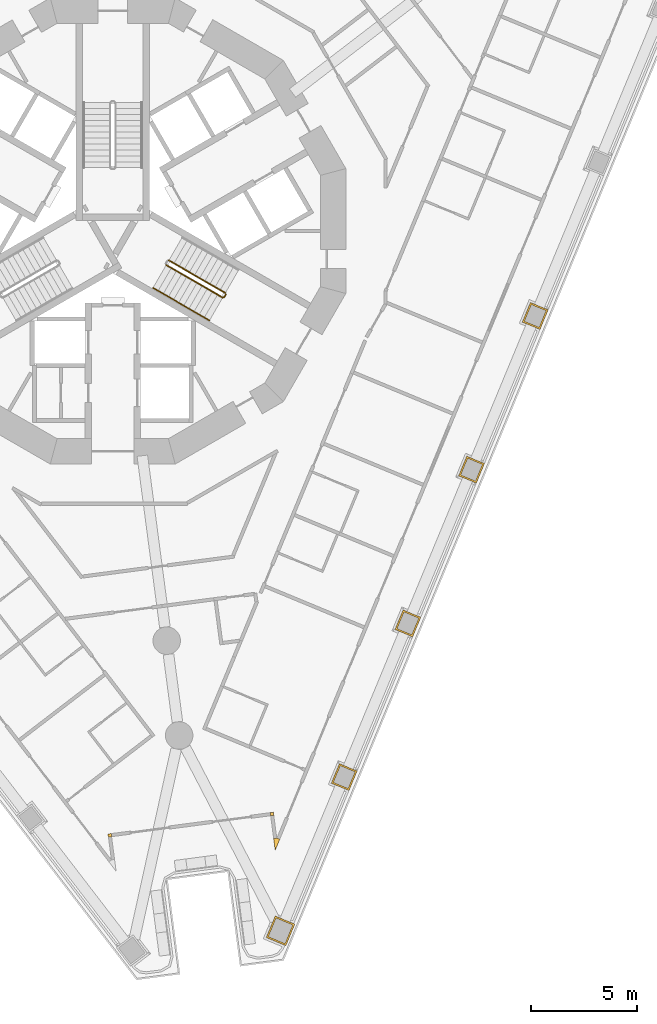
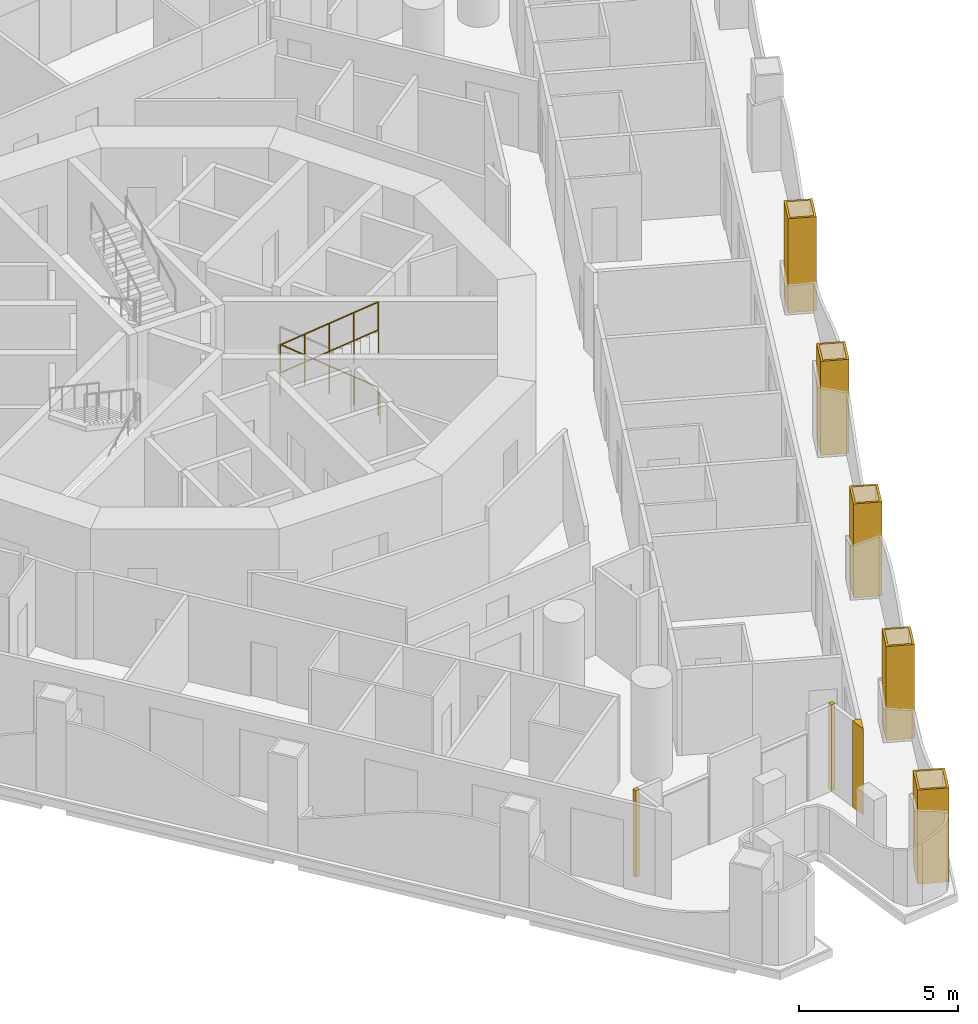
# One storey, part 14 of 19: 8 coverings, 5 railings.
"""IFC4 building model written with IfcOpenShell, lengths in metres."""

import ifcopenshell
import ifcopenshell.guid

model = None  # the IFC model being written
_history = None  # IfcOwnerHistory: only IFC2X3 demands one
_inside = {}  # id of a spatial element -> (the spatial element, [elements in it])
_under = {}  # id of a project, library or spatial element -> (it, [spatial elements below it])
_declared = {}  # id of a project -> (the project, [libraries it declares])
_typed = {}  # id of a type object -> (the type object, [elements of that type])
_made_of = {}  # id of a material, layer set ... -> (it, [elements and type objects made of it])


def new_model(schema):
    """Start an empty IFC model of exactly this schema.

    Asked for "IFC4X3", IfcOpenShell would pick the latest addendum, in which some entities
    have other attributes; the version numbers below select the first issue.
    IFC2X3 requires an IfcOwnerHistory on every rooted entity: one is made here for all.
    """
    global model, _history
    if schema == "IFC4X3":
        model = ifcopenshell.file(schema_version=(4, 3, 0, 0))
    else:
        model = ifcopenshell.file(schema=schema)
    _inside.clear()
    _under.clear()
    _declared.clear()
    _typed.clear()
    _made_of.clear()
    _history = None
    if model.schema == "IFC2X3":
        org = make("IfcOrganization", Name="unknown")
        user = make(
            "IfcPersonAndOrganization",
            ThePerson=make("IfcPerson", FamilyName="unknown"),
            TheOrganization=org,
        )
        app = make(
            "IfcApplication",
            ApplicationDeveloper=org,
            Version="unknown",
            ApplicationFullName="unknown",
            ApplicationIdentifier="unknown",
        )
        _history = make(
            "IfcOwnerHistory",
            OwningUser=user,
            OwningApplication=app,
            ChangeAction="ADDED",
            CreationDate=0,
        )
    return model


def make(cls, **values):
    """One entity of the class cls with the attributes given. An attribute that is None is left unset."""
    return model.create_entity(
        cls, **{name: value for name, value in values.items() if value is not None}
    )


def rooted(cls, **values):
    """An entity with a GlobalId (a new one), such as an element, a storey or a relation."""
    return make(cls, GlobalId=ifcopenshell.guid.new(), OwnerHistory=_history, **values)


def si_unit(unit_type, name, prefix=None):
    """IfcSIUnit, for example si_unit("LENGTHUNIT", "METRE", prefix="MILLI")."""
    return make("IfcSIUnit", UnitType=unit_type, Prefix=prefix, Name=name)


def assignment(units):
    """IfcUnitAssignment: the units of a project."""
    return None if units is None else make("IfcUnitAssignment", Units=units)


def point(xyz):
    """IfcCartesianPoint."""
    return None if xyz is None else make("IfcCartesianPoint", Coordinates=xyz)


def direction(xyz):
    """IfcDirection."""
    return None if xyz is None else make("IfcDirection", DirectionRatios=xyz)


def frame(location, z_axis=None, x_axis=None):
    """IfcAxis2Placement3D, a coordinate frame: its origin and axes. An axis left out is left unset."""
    return make(
        "IfcAxis2Placement3D",
        Location=point(location),
        Axis=direction(z_axis),
        RefDirection=direction(x_axis),
    )


def frame_2d(location, x_axis=None):
    """IfcAxis2Placement2D, a coordinate frame in the plane: its origin and x axis."""
    return make(
        "IfcAxis2Placement2D", Location=point(location), RefDirection=direction(x_axis)
    )


def origin():
    """The frame at (0, 0, 0) with its axes left unset."""
    return frame((0.0, 0.0, 0.0))


def origin_2d():
    """The frame at (0, 0) in the plane with its x axis left unset."""
    return frame_2d((0.0, 0.0))


def place(relative_to, where):
    """IfcLocalPlacement: puts the frame where relative to a parent placement (None: the world)."""
    return make(
        "IfcLocalPlacement", PlacementRelTo=relative_to, RelativePlacement=where
    )


def context(
    kind, dimensions, precision=None, world=None, true_north=None, identifier=None
):
    """IfcGeometricRepresentationContext, for example the 3D "Model" context."""
    return make(
        "IfcGeometricRepresentationContext",
        ContextIdentifier=identifier,
        ContextType=kind,
        CoordinateSpaceDimension=dimensions,
        Precision=precision,
        WorldCoordinateSystem=world,
        TrueNorth=true_north,
    )


def subcontext(parent, identifier, kind, view, scale=None):
    """IfcGeometricRepresentationSubContext, for example "Body" below "Model"."""
    return make(
        "IfcGeometricRepresentationSubContext",
        ContextIdentifier=identifier,
        ContextType=kind,
        ParentContext=parent,
        TargetScale=scale,
        TargetView=view,
    )


def project(units=None, contexts=None):
    """IfcProject with its units and contexts."""
    return rooted(
        "IfcProject",
        Name="project",
        RepresentationContexts=contexts,
        UnitsInContext=assignment(units),
    )


def spatial(cls, under=None, at=None, **own):
    """A site, building, storey or space (cls), placed at a placement, below another one or the project."""
    s = rooted(cls, ObjectPlacement=at, **own)
    if under is not None:
        _under.setdefault(under.id(), (under, []))[1].append(s)
    return s


def polyline(points):
    """IfcPolyline through the points."""
    return make("IfcPolyline", Points=[point(p) for p in points])


def profile(cls, at=None, kind="AREA", **sizes):
    """A parametric profile (cls). Its sizes go by their IFC names, for example OverallWidth=200.0."""
    return make(cls, ProfileType=kind, Position=at, **sizes)


def circle(**sizes):
    """IfcCircleProfileDef."""
    return profile("IfcCircleProfileDef", **sizes)


def outline(outer, holes=None, kind="AREA"):
    """IfcArbitraryClosedProfileDef: a profile drawn as a closed curve; with holes, ...WithVoids."""
    if holes is None:
        return make("IfcArbitraryClosedProfileDef", ProfileType=kind, OuterCurve=outer)
    return make(
        "IfcArbitraryProfileDefWithVoids",
        ProfileType=kind,
        OuterCurve=outer,
        InnerCurves=holes,
    )


def extrude(swept, where, along, depth):
    """IfcExtrudedAreaSolid: the profile swept, set in the frame where, extruded along a direction by depth."""
    return make(
        "IfcExtrudedAreaSolid",
        SweptArea=swept,
        Position=where,
        ExtrudedDirection=direction(along),
        Depth=depth,
    )


def shape(context_of_items, identifier, shape_type, items):
    """IfcShapeRepresentation: the items that make up one representation, for example the "Body"."""
    return make(
        "IfcShapeRepresentation",
        ContextOfItems=context_of_items,
        RepresentationIdentifier=identifier,
        RepresentationType=shape_type,
        Items=items,
    )


def material(Name=None, Category=None):
    """IfcMaterial."""
    return make("IfcMaterial", Name=Name, Category=Category)


def layer(
    of_material, thickness, ventilated=None, Name=None, Category=None, Priority=None
):
    """IfcMaterialLayer: one layer of a wall or slab, of a material (None: an air gap)."""
    return make(
        "IfcMaterialLayer",
        Material=of_material,
        LayerThickness=thickness,
        IsVentilated=ventilated,
        Name=Name,
        Category=Category,
        Priority=Priority,
    )


def layer_set(layers, Name=None):
    """IfcMaterialLayerSet."""
    return make("IfcMaterialLayerSet", MaterialLayers=layers, LayerSetName=Name)


def made_of(thing, what):
    """Note that an element or type object is made of a material, layer set ...; save() writes the relation."""
    if what is not None:
        _made_of.setdefault(what.id(), (what, []))[1].append(thing)
    return thing


def type_object(cls, material=None, **own):
    """A type object (cls), such as IfcWallType, which elements share."""
    return made_of(rooted(cls, **own), material)


def element(
    cls,
    number,
    at=None,
    inside=None,
    cuts=None,
    type_object=None,
    material=None,
    context=None,
    identifier="Body",
    shape_type=None,
    held_by="IfcProductDefinitionShape",
    body=None,
    shapes=None,
    **own,
):
    """One element of the class cls, such as IfcWall. Its Tag is "e" and its number.

    at: its placement. inside: the storey or other place that contains it. cuts: it is an
    opening in that element (IfcRelVoidsElement). A single representation is given by context,
    identifier, shape_type and body (its items); several are given by shapes. held_by: the class
    of the entity that holds the representations. save() writes the other relations.
    """
    e = rooted(cls, Tag="e%d" % number, ObjectPlacement=at, **own)
    if body is not None:
        shapes = [shape(context, identifier, shape_type, body)]
    if shapes is not None:
        e.Representation = make(held_by, Representations=shapes)
    if inside is not None:
        _inside.setdefault(inside.id(), (inside, []))[1].append(e)
    if cuts is not None:
        rooted(
            "IfcRelVoidsElement", RelatingBuildingElement=cuts, RelatedOpeningElement=e
        )
    if type_object is not None:
        _typed.setdefault(type_object.id(), (type_object, []))[1].append(e)
    return made_of(e, material)


def aggregate(whole, parts):
    """IfcRelAggregates: a whole, such as a stair, and the parts it consists of."""
    return rooted("IfcRelAggregates", RelatingObject=whole, RelatedObjects=parts)


def save(model, path):
    """Write the relations noted so far, then the file.

    IfcRelAggregates (storeys below a building ...), IfcRelContainedInSpatialStructure (elements
    in a storey), IfcRelDefinesByType, IfcRelAssociatesMaterial and IfcRelDeclares: one each for
    every whole, place, type object, material and project.
    """
    for whole, parts in _under.values():
        aggregate(whole, parts)
    for where, things in _inside.values():
        rooted(
            "IfcRelContainedInSpatialStructure",
            RelatedElements=things,
            RelatingStructure=where,
        )
    for kind, things in _typed.values():
        rooted("IfcRelDefinesByType", RelatedObjects=things, RelatingType=kind)
    for what, things in _made_of.values():
        rooted("IfcRelAssociatesMaterial", RelatedObjects=things, RelatingMaterial=what)
    for by, libraries in _declared.values():
        rooted("IfcRelDeclares", RelatingContext=by, RelatedDefinitions=libraries)
    model.write(path)


model = new_model("IFC4")

# Units and contexts
model_context = context("Model", 3, precision=1e-05, world=origin(), true_north=direction((0.0, 1.0)))
body_context = subcontext(model_context, "Body", "Model", "MODEL_VIEW")
ifc_project = project(units=[si_unit("LENGTHUNIT", "METRE"), si_unit("AREAUNIT", "SQUARE_METRE"), si_unit("VOLUMEUNIT", "CUBIC_METRE"), si_unit("PLANEANGLEUNIT", "RADIAN"), si_unit("MASSUNIT", "GRAM", prefix="KILO")], contexts=[model_context])

# Site, building, storey
site_placement = place(None, origin())
site = spatial("IfcSite", under=ifc_project, at=site_placement, CompositionType="ELEMENT")
building_placement = place(site_placement, origin())
building = spatial("IfcBuilding", under=site, at=building_placement, Name="Trine Commons Tower", CompositionType="ELEMENT")
storey_placement = place(building_placement, frame((0.0, 0.0, 64.800048828125)))
storey = spatial("IfcBuildingStorey", under=building, at=storey_placement, Name="L15", CompositionType="ELEMENT", Elevation=64.800048828125)

# Coverings
ifc_material_1 = material(Name="Aluminium-framed insulated wall panel", Category="aluminium")
ifc_layer_1 = layer(ifc_material_1, 0.14990234375)
ifc_layer_set_1 = layer_set([ifc_layer_1], Name="Aluminium-framed insulated wall panel")
covering_type_1 = type_object("IfcCoveringType", Name="Glazing corner post, aluminium", PredefinedType="CLADDING", material=ifc_layer_set_1)
covering_1_placement = place(storey_placement, origin())
element("IfcCovering", 1, at=covering_1_placement, inside=storey, type_object=covering_type_1, Name="Glazing corner post 2-09", PredefinedType="CLADDING", context=body_context, shape_type="SweptSolid", body=[
    extrude(outline(polyline([(87.6015625, 33.79736328125), (87.674560546875, 33.242431640625), (87.888916015625, 33.759521484375), (87.750244140625, 33.81689453125), (87.6015625, 33.79736328125)])), origin(), (0.0, 0.0, 1.0), 3.300048828125),
])
covering_2_placement = place(storey_placement, origin())
element("IfcCovering", 2, at=covering_2_placement, inside=storey, type_object=covering_type_1, Name="Glazing corner post 2-10", PredefinedType="CLADDING", context=body_context, shape_type="SweptSolid", body=[
    extrude(outline(polyline([(87.440185546875, 35.0224609375), (87.459716796875, 34.873779296875), (87.6083984375, 34.893310546875), (87.5888671875, 35.0419921875), (87.440185546875, 35.0224609375)])), origin(), (0.0, 0.0, 1.0), 3.300048828125),
])
covering_3_placement = place(storey_placement, origin())
element("IfcCovering", 3, at=covering_3_placement, inside=storey, type_object=covering_type_1, Name="Glazing corner post 2-11", PredefinedType="CLADDING", context=body_context, shape_type="SweptSolid", body=[
    extrude(outline(polyline([(79.7958984375, 33.864990234375), (79.944580078125, 33.884521484375), (79.925048828125, 34.033203125), (79.7763671875, 34.013671875), (79.7958984375, 33.864990234375)])), origin(), (0.0, 0.0, 1.0), 3.300048828125),
])
ifc_material_2 = material(Name="Limestone, honed", Category="masonry")
ifc_layer_2 = layer(ifc_material_2, 0.074951171875)
ifc_layer_set_2 = layer_set([ifc_layer_2], Name="Limestone, honed")
covering_type_2 = type_object("IfcCoveringType", Name="Limestone column cladding 75", PredefinedType="CLADDING", material=ifc_layer_set_2)
covering_4_placement = place(storey_placement, origin())
element("IfcCovering", 4, at=covering_4_placement, inside=storey, type_object=covering_type_2, Name="Limestone pier cladding 2-20", PredefinedType="CLADDING", context=body_context, shape_type="SweptSolid", body=[
    extrude(outline(polyline([(100.5673828125, 58.77587890625), (99.73583984375, 59.120361328125), (99.35302734375, 58.196533203125), (100.1845703125, 57.852294921875), (100.5673828125, 58.77587890625)]), holes=[polyline([(100.46923828125, 58.7353515625), (99.7763671875, 59.0224609375), (99.451171875, 58.2373046875), (100.14404296875, 57.9501953125), (100.46923828125, 58.7353515625)])]), origin(), (0.0, 0.0, 1.0), 3.599853515625),
])
covering_5_placement = place(storey_placement, origin())
element("IfcCovering", 5, at=covering_5_placement, inside=storey, type_object=covering_type_2, Name="Limestone pier cladding 2-21", PredefinedType="CLADDING", context=body_context, shape_type="SweptSolid", body=[
    extrude(outline(polyline([(97.55908203125, 51.513916015625), (96.727783203125, 51.858154296875), (96.344970703125, 50.934326171875), (97.176513671875, 50.590087890625), (97.55908203125, 51.513916015625)]), holes=[polyline([(97.461181640625, 51.47314453125), (96.768310546875, 51.76025390625), (96.443115234375, 50.97509765625), (97.135986328125, 50.68798828125), (97.461181640625, 51.47314453125)])]), origin(), (0.0, 0.0, 1.0), 3.599853515625),
])
covering_6_placement = place(storey_placement, origin())
element("IfcCovering", 6, at=covering_6_placement, inside=storey, type_object=covering_type_2, Name="Limestone pier cladding 2-22", PredefinedType="CLADDING", context=body_context, shape_type="SweptSolid", body=[
    extrude(outline(polyline([(94.551025390625, 44.251708984375), (93.719482421875, 44.59619140625), (93.3369140625, 43.67236328125), (94.16845703125, 43.327880859375), (94.551025390625, 44.251708984375)]), holes=[polyline([(94.453125, 44.211181640625), (93.76025390625, 44.498291015625), (93.434814453125, 43.712890625), (94.127685546875, 43.42578125), (94.453125, 44.211181640625)])]), origin(), (0.0, 0.0, 1.0), 3.599853515625),
])
covering_7_placement = place(storey_placement, origin())
element("IfcCovering", 7, at=covering_7_placement, inside=storey, type_object=covering_type_2, Name="Limestone pier cladding 2-23", PredefinedType="CLADDING", context=body_context, shape_type="SweptSolid", body=[
    extrude(outline(polyline([(91.54296875, 36.989501953125), (90.71142578125, 37.333984375), (90.328857421875, 36.41015625), (91.160400390625, 36.065673828125), (91.54296875, 36.989501953125)]), holes=[polyline([(91.445068359375, 36.948974609375), (90.752197265625, 37.236083984375), (90.4267578125, 36.45068359375), (91.11962890625, 36.16357421875), (91.445068359375, 36.948974609375)])]), origin(), (0.0, 0.0, 1.0), 3.599853515625),
])
covering_8_placement = place(storey_placement, origin())
element("IfcCovering", 8, at=covering_8_placement, inside=storey, type_object=covering_type_2, Name="Limestone pier cladding 2-24", PredefinedType="CLADDING", context=body_context, shape_type="SweptSolid", body=[
    extrude(outline(polyline([(88.60009765625, 29.75439453125), (87.67626953125, 30.13720703125), (87.25537109375, 29.120849609375), (88.17919921875, 28.738037109375), (88.60009765625, 29.75439453125)]), holes=[polyline([(88.502197265625, 29.7138671875), (87.716796875, 30.0390625), (87.353515625, 29.161376953125), (88.138671875, 28.836181640625), (88.502197265625, 29.7138671875)])]), origin(), (0.0, 0.0, 1.0), 3.599853515625),
])

# Railings
ifc_material_3 = material(Name="Stainless steel balustrade", Category="steel")
railing_type_1 = type_object("IfcRailingType", Name="Stair guard, steel balustrade 1100", PredefinedType="GUARDRAIL", material=ifc_material_3)
railing_1_placement = place(storey_placement, frame((85.31982421875, 59.572998046875, 0.14990234375)))
element("IfcRailing", 9, at=railing_1_placement, inside=storey, type_object=railing_type_1, Name="L15 ST3A stair guard 1", PredefinedType="GUARDRAIL", context=body_context, shape_type="SweptSolid", body=[
    extrude(circle(Radius=0.02392578125, at=origin_2d()), frame((0.0, 0.0, 1.076171875), z_axis=(-0.763379768245, 0.440728498818, 0.472239049384), x_axis=(-0.499992328818, -0.866029832698, 0.0)), (0.0, 0.0, 1.0), 3.494384765625),
    extrude(circle(Radius=0.02099609375, at=origin_2d()), origin(), (0.0, 0.0, 1.0), 1.052001953125),
    extrude(circle(Radius=0.02099609375, at=origin_2d()), frame((-0.6669921875, 0.385009765625, 0.41259765625)), (0.0, 0.0, 1.0), 1.052001953125),
    extrude(circle(Radius=0.02099609375, at=origin_2d()), frame((-1.333740234375, 0.77001953125, 0.8251953125)), (0.0, 0.0, 1.0), 1.052001953125),
    extrude(circle(Radius=0.02099609375, at=origin_2d()), frame((-2.00048828125, 1.155029296875, 1.237548828125)), (0.0, 0.0, 1.0), 1.052001953125),
    extrude(circle(Radius=0.02099609375, at=origin_2d()), frame((-2.66748046875, 1.5400390625, 1.650146484375)), (0.0, 0.0, 1.0), 1.052001953125),
])
railing_2_placement = place(storey_placement, frame((82.52734375, 60.896484375, 1.949951171875)))
element("IfcRailing", 10, at=railing_2_placement, inside=storey, type_object=railing_type_1, Name="L15 ST3A stair guard 3", PredefinedType="GUARDRAIL", context=body_context, shape_type="SweptSolid", body=[
    extrude(circle(Radius=0.02392578125, at=origin_2d()), frame((0.0, 0.0, 1.076171875), z_axis=(0.76340495495, -0.440743040072, 0.472184759798), x_axis=(0.499992328818, 0.866029832698, 0.0)), (0.0, 0.0, 1.0), 3.494140625),
    extrude(circle(Radius=0.02099609375, at=origin_2d()), origin(), (0.0, 0.0, 1.0), 1.052001953125),
    extrude(circle(Radius=0.02099609375, at=origin_2d()), frame((0.6669921875, -0.385009765625, 0.41259765625)), (0.0, 0.0, 1.0), 1.052001953125),
    extrude(circle(Radius=0.02099609375, at=origin_2d()), frame((1.333740234375, -0.77001953125, 0.824951171875)), (0.0, 0.0, 1.0), 1.052001953125),
    extrude(circle(Radius=0.02099609375, at=origin_2d()), frame((2.00048828125, -1.155029296875, 1.2373046875)), (0.0, 0.0, 1.0), 1.052001953125),
    extrude(circle(Radius=0.02099609375, at=origin_2d()), frame((2.66748046875, -1.5400390625, 1.64990234375)), (0.0, 0.0, 1.0), 1.052001953125),
])
railing_3_placement = place(storey_placement, frame((85.338134765625, 59.504638671875, 0.0)))
element("IfcRailing", 11, at=railing_3_placement, inside=storey, type_object=railing_type_1, Name="L15 ST3A stair guard 4", PredefinedType="GUARDRAIL", context=body_context, shape_type="SweptSolid", body=[
    extrude(circle(Radius=0.02392578125, at=origin_2d()), frame((0.0, 0.0, 1.076171875), z_axis=(-0.499816412211, -0.866131372301, 0.0), x_axis=(0.866131372301, -0.499816412211, 0.0)), (0.0, 0.0, 1.0), 0.14990234375),
    extrude(circle(Radius=0.02099609375, at=origin_2d()), origin(), (0.0, 0.0, 1.0), 1.052001953125),
    extrude(circle(Radius=0.02099609375, at=origin_2d()), frame((-0.074951171875, -0.1298828125, 0.0)), (0.0, 0.0, 1.0), 1.052001953125),
])
ifc_material_4 = material(Name="Stainless steel handrail", Category="steel")
railing_type_2 = type_object("IfcRailingType", Name="Stair handrail, steel 900", PredefinedType="HANDRAIL", material=ifc_material_4)
for number, where, name in (
    (12, (81.90234375, 59.81396484375, 1.949951171875), "L15 ST3A stair handrail 3"),
    (13, (83.236083984375, 59.0439453125, 2.77490234375), "L15 ST3A stair handrail 4"),
):
    element("IfcRailing", number, at=place(storey_placement, frame(where)), inside=storey, type_object=railing_type_2, Name=name, PredefinedType="HANDRAIL", context=body_context, shape_type="SweptSolid", body=[
        extrude(circle(Radius=0.02099609375, at=origin_2d()), frame((0.0, 0.0, 0.87890625), z_axis=(0.76340495495, -0.440743040072, 0.472184759798), x_axis=(0.499992328818, 0.866029832698, 0.0)), (0.0, 0.0, 1.0), 1.7470703125),
        extrude(circle(Radius=0.01513671875, at=origin_2d()), origin(), (0.0, 0.0, 1.0), 0.85791015625),
        extrude(circle(Radius=0.01513671875, at=origin_2d()), frame((0.6669921875, -0.385009765625, 0.41259765625)), (0.0, 0.0, 1.0), 0.85791015625),
        extrude(circle(Radius=0.01513671875, at=origin_2d()), frame((1.333740234375, -0.77001953125, 0.824951171875)), (0.0, 0.0, 1.0), 0.85791015625),
    ])

save(model, "model.ifc")
